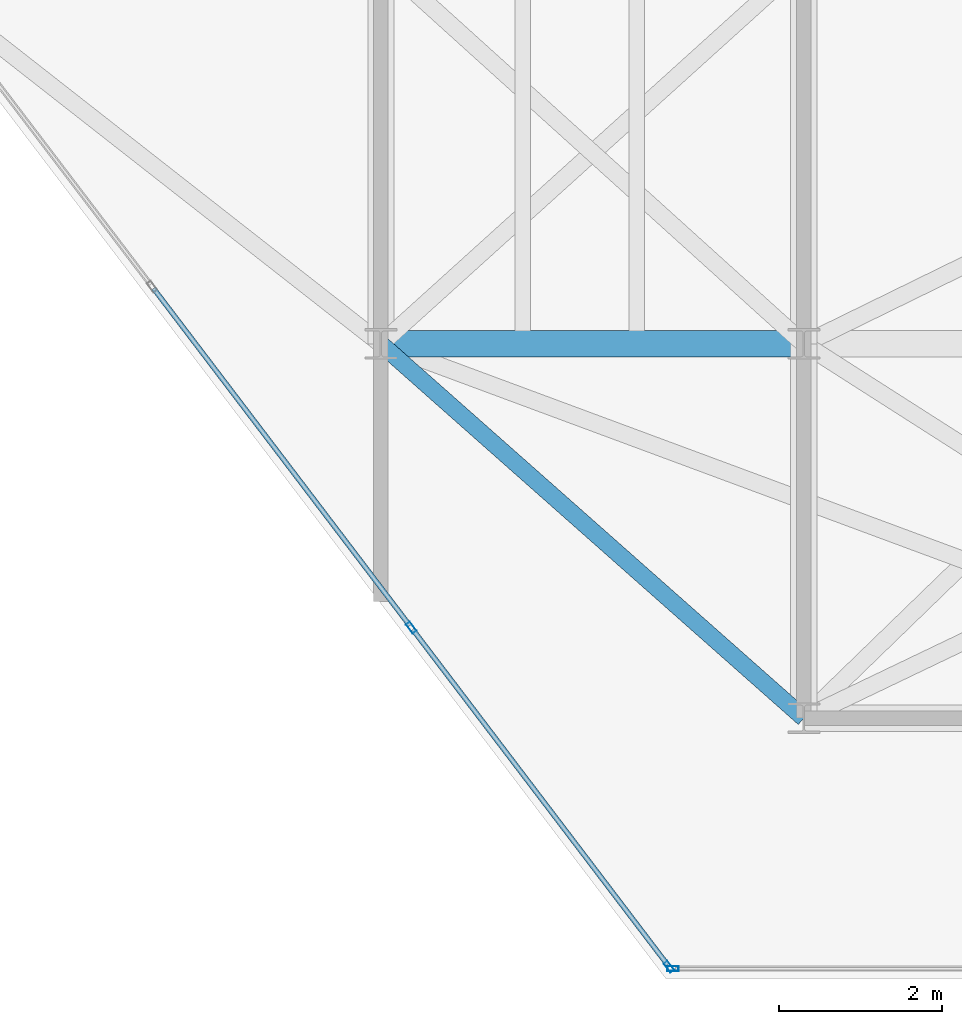
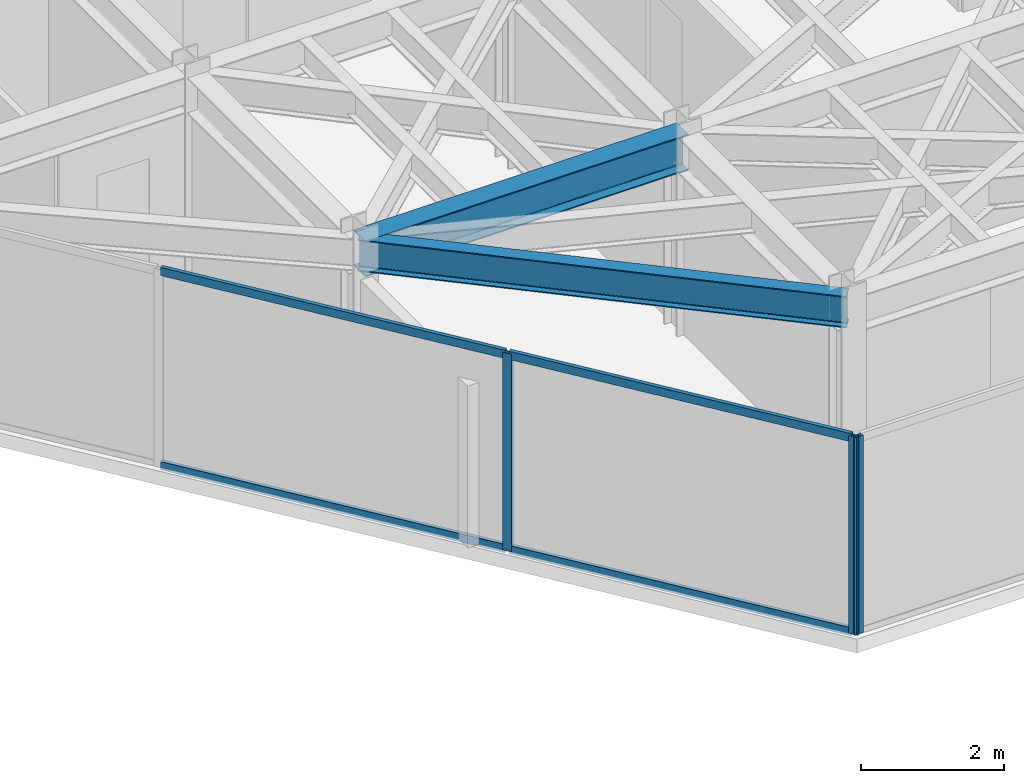
# One storey, part 5 of 17: 7 members, 2 beams, 2 elements without a shape of their own.
"""IFC4 building model written with IfcOpenShell, lengths in metres."""

from ifc_helpers import new_model, si_unit, direction, frame, origin, origin_2d, place, context, subcontext, project, spatial, hollow_rectangle, i_section, extrude, material, layer, layer_set, material_profile, profile_set, type_object, element, aggregate, save


model = new_model("IFC4")

# Units and contexts
model_context = context("Model", 3, precision=1e-05, world=origin(), true_north=direction((0.0, 1.0)))
body_context = subcontext(model_context, "Body", "Model", "MODEL_VIEW")
ifc_project = project(units=[si_unit("LENGTHUNIT", "METRE"), si_unit("AREAUNIT", "SQUARE_METRE"), si_unit("VOLUMEUNIT", "CUBIC_METRE"), si_unit("PLANEANGLEUNIT", "RADIAN"), si_unit("MASSUNIT", "GRAM", prefix="KILO")], contexts=[model_context])

# Site, building, storey
site_placement = place(None, origin())
site = spatial("IfcSite", under=ifc_project, at=site_placement, CompositionType="ELEMENT")
building_placement = place(site_placement, origin())
building = spatial("IfcBuilding", under=site, at=building_placement, Name="Kravanh Interchange Tower", CompositionType="ELEMENT")
storey_placement = place(building_placement, frame((0.0, 0.0, 282.300048828125)))
storey = spatial("IfcBuildingStorey", under=building, at=storey_placement, Name="L69", CompositionType="ELEMENT", Elevation=282.300048828125)

# Curtain wall, member
ifc_material_1 = material(Name="Anodised Bronze Aluminium", Category="aluminium")
ifc_layer = layer(ifc_material_1, 0.179931640625)
ifc_layer_set = layer_set([ifc_layer], Name="Unitised Curtain Wall System CW-HTL Luxury Hotel")
curtain_wall_type = type_object("IfcCurtainWallType", Name="Unitised Curtain Wall System CW-HTL Luxury Hotel", PredefinedType="NOTDEFINED", material=ifc_layer_set)
curtain_wall_1_placement = place(storey_placement, origin())
curtain_wall_1 = element("IfcCurtainWall", 1, at=curtain_wall_1_placement, inside=storey, type_object=curtain_wall_type, Name="L69 Unitised Curtain Wall CW-L69-03", PredefinedType="NOTDEFINED")
ifc_material_2 = material(Name="Anodised Bronze Aluminium", Category="aluminium")
ifc_material_profile_1 = material_profile(ifc_material_2, hollow_rectangle(XDim=0.06005859375, YDim=0.139892578125, WallThickness=0.00390625, at=origin_2d()), Name="ALU60X140X4")
ifc_profile_set_1 = profile_set([ifc_material_profile_1], Name="Anodised Bronze Aluminium")
member_type_1 = type_object("IfcMemberType", Name="Curtain Wall Mullion ALU60X140X4 Bronze", PredefinedType="MULLION", material=ifc_profile_set_1)
member_1_placement = place(storey_placement, frame((54.389404296875, 19.1201171875, 0.0), z_axis=(0.0, 0.0, 1.0), x_axis=(0.0, -1.0, 0.0)))
member_1 = element("IfcMember", 2, at=member_1_placement, type_object=member_type_1, Name="CW-HTL mullion 3", PredefinedType="MULLION", context=body_context, shape_type="SweptSolid", body=[
    extrude(hollow_rectangle(XDim=0.06005859375, YDim=0.139892578125, WallThickness=0.00390625, at=origin_2d()), origin(), (0.0, 0.0, 1.0), 3.364990234375),
])
aggregate(curtain_wall_1, [member_1])

# Curtain wall, members
curtain_wall_2_placement = place(storey_placement, origin())
curtain_wall_2 = element("IfcCurtainWall", 3, at=curtain_wall_2_placement, inside=storey, type_object=curtain_wall_type, Name="L69 Unitised Curtain Wall CW-L69-04", PredefinedType="NOTDEFINED")
member_2_placement = place(storey_placement, frame((54.34130859375, 19.143798828125, 0.0), z_axis=(0.0, 0.0, 1.0), x_axis=(-0.79616243806, -0.605082946564, 0.0)))
member_2 = element("IfcMember", 4, at=member_2_placement, type_object=member_type_1, Name="CW-HTL mullion 1", PredefinedType="MULLION", context=body_context, shape_type="SweptSolid", body=[
    extrude(hollow_rectangle(XDim=0.06005859375, YDim=0.139892578125, WallThickness=0.00390625, at=origin_2d()), origin(), (0.0, 0.0, 1.0), 3.364990234375),
])
member_3_placement = place(storey_placement, frame((51.173095703125, 23.312744140625, 0.0), z_axis=(0.0, 0.0, 1.0), x_axis=(-0.79616243806, -0.605082946564, 0.0)))
member_3 = element("IfcMember", 5, at=member_3_placement, type_object=member_type_1, Name="CW-HTL mullion 2", PredefinedType="MULLION", context=body_context, shape_type="SweptSolid", body=[
    extrude(hollow_rectangle(XDim=0.06005859375, YDim=0.139892578125, WallThickness=0.00390625, at=origin_2d()), origin(), (0.0, 0.0, 1.0), 3.364990234375),
])
ifc_material_3 = material(Name="Anodised Bronze Aluminium", Category="aluminium")
ifc_material_profile_2 = material_profile(ifc_material_3, hollow_rectangle(XDim=0.06005859375, YDim=0.139892578125, WallThickness=0.00390625, at=origin_2d()), Name="ALU60X140X4")
ifc_profile_set_2 = profile_set([ifc_material_profile_2], Name="Anodised Bronze Aluminium")
member_type_2 = type_object("IfcMemberType", Name="Curtain Wall Transom ALU60X140X4 Bronze", PredefinedType="USERDEFINED", material=ifc_profile_set_2)
member_4_placement = place(storey_placement, frame((54.3232421875, 19.167724609375, 0.030029296875), z_axis=(-0.605089246946, 0.796157649734, 0.0), x_axis=(-0.796157649734, -0.605089246946, 0.0)))
member_4 = element("IfcMember", 6, at=member_4_placement, type_object=member_type_2, Name="CW-HTL transom 1.1", ObjectType="TRANSOM", PredefinedType="USERDEFINED", context=body_context, shape_type="SweptSolid", body=[
    extrude(hollow_rectangle(XDim=0.06005859375, YDim=0.139892578125, WallThickness=0.00390625, at=origin_2d()), origin(), (0.0, 0.0, 1.0), 5.17626953125),
])
member_5_placement = place(storey_placement, frame((54.3232421875, 19.167724609375, 3.3349609375), z_axis=(-0.605089246946, 0.796157649734, 0.0), x_axis=(-0.796157649734, -0.605089246946, 0.0)))
member_5 = element("IfcMember", 7, at=member_5_placement, type_object=member_type_2, Name="CW-HTL transom 1.2", ObjectType="TRANSOM", PredefinedType="USERDEFINED", context=body_context, shape_type="SweptSolid", body=[
    extrude(hollow_rectangle(XDim=0.06005859375, YDim=0.139892578125, WallThickness=0.00390625, at=origin_2d()), origin(), (0.0, 0.0, 1.0), 5.17626953125),
])
member_6_placement = place(storey_placement, frame((51.15478515625, 23.336669921875, 0.030029296875), z_axis=(-0.605074944506, 0.796168519555, 0.0), x_axis=(-0.796168519555, -0.605074944506, 0.0)))
member_6 = element("IfcMember", 8, at=member_6_placement, type_object=member_type_2, Name="CW-HTL transom 2.1", ObjectType="TRANSOM", PredefinedType="USERDEFINED", context=body_context, shape_type="SweptSolid", body=[
    extrude(hollow_rectangle(XDim=0.06005859375, YDim=0.139892578125, WallThickness=0.00390625, at=origin_2d()), origin(), (0.0, 0.0, 1.0), 5.206298828125),
])
member_7_placement = place(storey_placement, frame((51.15478515625, 23.336669921875, 3.3349609375), z_axis=(-0.605074944506, 0.796168519555, 0.0), x_axis=(-0.796168519555, -0.605074944506, 0.0)))
member_7 = element("IfcMember", 9, at=member_7_placement, type_object=member_type_2, Name="CW-HTL transom 2.2", ObjectType="TRANSOM", PredefinedType="USERDEFINED", context=body_context, shape_type="SweptSolid", body=[
    extrude(hollow_rectangle(XDim=0.06005859375, YDim=0.139892578125, WallThickness=0.00390625, at=origin_2d()), origin(), (0.0, 0.0, 1.0), 5.206298828125),
])
aggregate(curtain_wall_2, [member_2, member_3, member_4, member_5, member_6, member_7])

# Beams
ifc_material_4 = material(Name="Structural Steel S355", Category="steel")
ifc_material_profile_3 = material_profile(ifc_material_4, i_section(OverallWidth=0.323974609375, OverallDepth=0.611083984375, WebThickness=0.0126953125, FlangeThickness=0.01904296875, FilletRadius=0.02197265625, at=origin_2d()), Name="W24X104")
ifc_profile_set_3 = profile_set([ifc_material_profile_3], Name="Structural Steel S355")
beam_type_1 = type_object("IfcBeamType", Name="Floor Beam W24X104 Structural Steel S355", PredefinedType="BEAM", material=ifc_profile_set_3)
beam_1_placement = place(storey_placement, frame((50.800048828125, 26.800048828125, 3.0595703125), z_axis=(1.0, 0.0, 0.0), x_axis=(0.0, 1.0, 0.0)))
element("IfcBeam", 10, at=beam_1_placement, inside=storey, type_object=beam_type_1, Name="L69 Primary Floor Girder 25", PredefinedType="BEAM", context=body_context, shape_type="SweptSolid", body=[
    extrude(i_section(OverallWidth=0.323974609375, OverallDepth=0.611083984375, WebThickness=0.0126953125, FlangeThickness=0.01904296875, FilletRadius=0.02197265625, at=origin_2d()), origin(), (0.0, 0.0, 1.0), 5.199951171875),
])
ifc_material_5 = material(Name="Structural Steel S355", Category="steel")
ifc_material_profile_4 = material_profile(ifc_material_5, i_section(OverallWidth=0.2099609375, OverallDepth=0.537109375, WebThickness=0.010986328125, FlangeThickness=0.017333984375, FilletRadius=0.02001953125, at=origin_2d()), Name="W21X68")
ifc_profile_set_4 = profile_set([ifc_material_profile_4], Name="Structural Steel S355")
beam_type_2 = type_object("IfcBeamType", Name="Floor Spandrel W21X68 Structural Steel S355", PredefinedType="SPANDREL", material=ifc_profile_set_4)
beam_2_placement = place(storey_placement, frame((50.800048828125, 26.800048828125, 3.096435546875), z_axis=(0.74898649432, -0.662585263439, 0.0), x_axis=(0.662585263439, 0.74898649432, 0.0)))
element("IfcBeam", 11, at=beam_2_placement, inside=storey, type_object=beam_type_2, Name="L69 Perimeter Spandrel 26", PredefinedType="SPANDREL", context=body_context, shape_type="SweptSolid", body=[
    extrude(i_section(OverallWidth=0.2099609375, OverallDepth=0.537109375, WebThickness=0.010986328125, FlangeThickness=0.017333984375, FilletRadius=0.02001953125, at=origin_2d()), origin(), (0.0, 0.0, 1.0), 6.942626953125),
])

save(model, "model.ifc")
